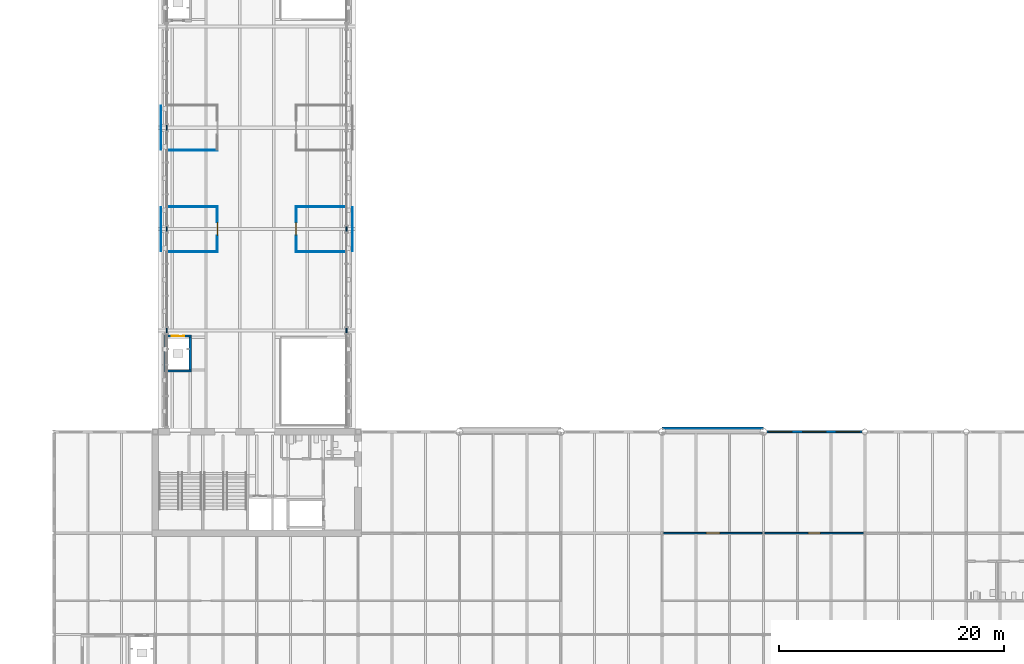
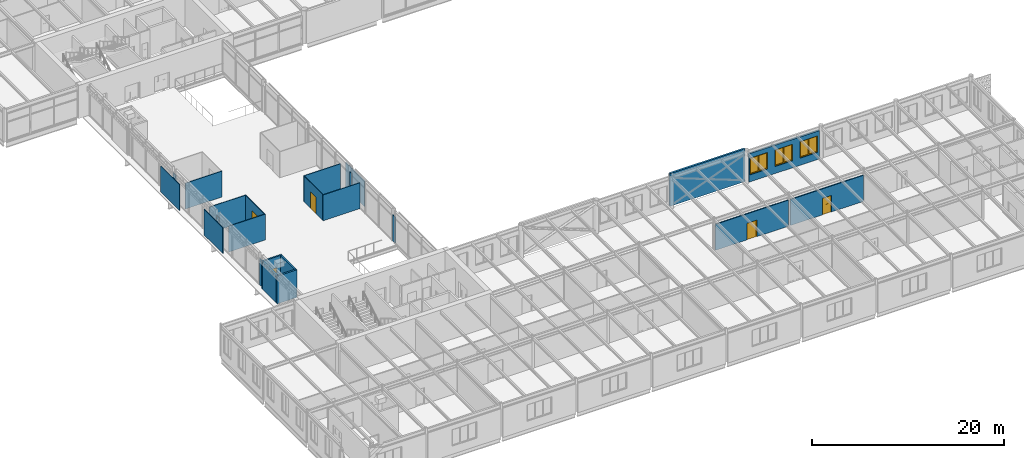
# One storey, part 65 of 123: 23 walls, 5 doors, 3 windows, 8 openings.
"""IFC4 building model written with IfcOpenShell, lengths in metres."""

import ifcopenshell
import ifcopenshell.guid

model = None  # the IFC model being written
_history = None  # IfcOwnerHistory: only IFC2X3 demands one
_inside = {}  # id of a spatial element -> (the spatial element, [elements in it])
_under = {}  # id of a project, library or spatial element -> (it, [spatial elements below it])
_declared = {}  # id of a project -> (the project, [libraries it declares])
_typed = {}  # id of a type object -> (the type object, [elements of that type])
_made_of = {}  # id of a material, layer set ... -> (it, [elements and type objects made of it])


def new_model(schema):
    """Start an empty IFC model of exactly this schema.

    Asked for "IFC4X3", IfcOpenShell would pick the latest addendum, in which some entities
    have other attributes; the version numbers below select the first issue.
    IFC2X3 requires an IfcOwnerHistory on every rooted entity: one is made here for all.
    """
    global model, _history
    if schema == "IFC4X3":
        model = ifcopenshell.file(schema_version=(4, 3, 0, 0))
    else:
        model = ifcopenshell.file(schema=schema)
    _inside.clear()
    _under.clear()
    _declared.clear()
    _typed.clear()
    _made_of.clear()
    _history = None
    if model.schema == "IFC2X3":
        org = make("IfcOrganization", Name="unknown")
        user = make(
            "IfcPersonAndOrganization",
            ThePerson=make("IfcPerson", FamilyName="unknown"),
            TheOrganization=org,
        )
        app = make(
            "IfcApplication",
            ApplicationDeveloper=org,
            Version="unknown",
            ApplicationFullName="unknown",
            ApplicationIdentifier="unknown",
        )
        _history = make(
            "IfcOwnerHistory",
            OwningUser=user,
            OwningApplication=app,
            ChangeAction="ADDED",
            CreationDate=0,
        )
    return model


def make(cls, **values):
    """One entity of the class cls with the attributes given. An attribute that is None is left unset."""
    return model.create_entity(
        cls, **{name: value for name, value in values.items() if value is not None}
    )


def rooted(cls, **values):
    """An entity with a GlobalId (a new one), such as an element, a storey or a relation."""
    return make(cls, GlobalId=ifcopenshell.guid.new(), OwnerHistory=_history, **values)


def si_unit(unit_type, name, prefix=None):
    """IfcSIUnit, for example si_unit("LENGTHUNIT", "METRE", prefix="MILLI")."""
    return make("IfcSIUnit", UnitType=unit_type, Prefix=prefix, Name=name)


def assignment(units):
    """IfcUnitAssignment: the units of a project."""
    return None if units is None else make("IfcUnitAssignment", Units=units)


def point(xyz):
    """IfcCartesianPoint."""
    return None if xyz is None else make("IfcCartesianPoint", Coordinates=xyz)


def direction(xyz):
    """IfcDirection."""
    return None if xyz is None else make("IfcDirection", DirectionRatios=xyz)


def frame(location, z_axis=None, x_axis=None):
    """IfcAxis2Placement3D, a coordinate frame: its origin and axes. An axis left out is left unset."""
    return make(
        "IfcAxis2Placement3D",
        Location=point(location),
        Axis=direction(z_axis),
        RefDirection=direction(x_axis),
    )


def frame_2d(location, x_axis=None):
    """IfcAxis2Placement2D, a coordinate frame in the plane: its origin and x axis."""
    return make(
        "IfcAxis2Placement2D", Location=point(location), RefDirection=direction(x_axis)
    )


def origin():
    """The frame at (0, 0, 0) with its axes left unset."""
    return frame((0.0, 0.0, 0.0))


def place(relative_to, where):
    """IfcLocalPlacement: puts the frame where relative to a parent placement (None: the world)."""
    return make(
        "IfcLocalPlacement", PlacementRelTo=relative_to, RelativePlacement=where
    )


def context(
    kind, dimensions, precision=None, world=None, true_north=None, identifier=None
):
    """IfcGeometricRepresentationContext, for example the 3D "Model" context."""
    return make(
        "IfcGeometricRepresentationContext",
        ContextIdentifier=identifier,
        ContextType=kind,
        CoordinateSpaceDimension=dimensions,
        Precision=precision,
        WorldCoordinateSystem=world,
        TrueNorth=true_north,
    )


def subcontext(parent, identifier, kind, view, scale=None):
    """IfcGeometricRepresentationSubContext, for example "Body" below "Model"."""
    return make(
        "IfcGeometricRepresentationSubContext",
        ContextIdentifier=identifier,
        ContextType=kind,
        ParentContext=parent,
        TargetScale=scale,
        TargetView=view,
    )


def project(units=None, contexts=None):
    """IfcProject with its units and contexts."""
    return rooted(
        "IfcProject",
        Name="project",
        RepresentationContexts=contexts,
        UnitsInContext=assignment(units),
    )


def spatial(cls, under=None, at=None, **own):
    """A site, building, storey or space (cls), placed at a placement, below another one or the project."""
    s = rooted(cls, ObjectPlacement=at, **own)
    if under is not None:
        _under.setdefault(under.id(), (under, []))[1].append(s)
    return s


def polyline(points):
    """IfcPolyline through the points."""
    return make("IfcPolyline", Points=[point(p) for p in points])


def profile(cls, at=None, kind="AREA", **sizes):
    """A parametric profile (cls). Its sizes go by their IFC names, for example OverallWidth=200.0."""
    return make(cls, ProfileType=kind, Position=at, **sizes)


def rectangle(**sizes):
    """IfcRectangleProfileDef."""
    return profile("IfcRectangleProfileDef", **sizes)


def outline(outer, holes=None, kind="AREA"):
    """IfcArbitraryClosedProfileDef: a profile drawn as a closed curve; with holes, ...WithVoids."""
    if holes is None:
        return make("IfcArbitraryClosedProfileDef", ProfileType=kind, OuterCurve=outer)
    return make(
        "IfcArbitraryProfileDefWithVoids",
        ProfileType=kind,
        OuterCurve=outer,
        InnerCurves=holes,
    )


def extrude(swept, where, along, depth):
    """IfcExtrudedAreaSolid: the profile swept, set in the frame where, extruded along a direction by depth."""
    return make(
        "IfcExtrudedAreaSolid",
        SweptArea=swept,
        Position=where,
        ExtrudedDirection=direction(along),
        Depth=depth,
    )


def shape(context_of_items, identifier, shape_type, items):
    """IfcShapeRepresentation: the items that make up one representation, for example the "Body"."""
    return make(
        "IfcShapeRepresentation",
        ContextOfItems=context_of_items,
        RepresentationIdentifier=identifier,
        RepresentationType=shape_type,
        Items=items,
    )


def material(Name=None, Category=None):
    """IfcMaterial."""
    return make("IfcMaterial", Name=Name, Category=Category)


def layer(
    of_material, thickness, ventilated=None, Name=None, Category=None, Priority=None
):
    """IfcMaterialLayer: one layer of a wall or slab, of a material (None: an air gap)."""
    return make(
        "IfcMaterialLayer",
        Material=of_material,
        LayerThickness=thickness,
        IsVentilated=ventilated,
        Name=Name,
        Category=Category,
        Priority=Priority,
    )


def layer_set(layers, Name=None):
    """IfcMaterialLayerSet."""
    return make("IfcMaterialLayerSet", MaterialLayers=layers, LayerSetName=Name)


def made_of(thing, what):
    """Note that an element or type object is made of a material, layer set ...; save() writes the relation."""
    if what is not None:
        _made_of.setdefault(what.id(), (what, []))[1].append(thing)
    return thing


def type_object(cls, material=None, **own):
    """A type object (cls), such as IfcWallType, which elements share."""
    return made_of(rooted(cls, **own), material)


def element(
    cls,
    number,
    at=None,
    inside=None,
    cuts=None,
    type_object=None,
    material=None,
    context=None,
    identifier="Body",
    shape_type=None,
    held_by="IfcProductDefinitionShape",
    body=None,
    shapes=None,
    **own,
):
    """One element of the class cls, such as IfcWall. Its Tag is "e" and its number.

    at: its placement. inside: the storey or other place that contains it. cuts: it is an
    opening in that element (IfcRelVoidsElement). A single representation is given by context,
    identifier, shape_type and body (its items); several are given by shapes. held_by: the class
    of the entity that holds the representations. save() writes the other relations.
    """
    e = rooted(cls, Tag="e%d" % number, ObjectPlacement=at, **own)
    if body is not None:
        shapes = [shape(context, identifier, shape_type, body)]
    if shapes is not None:
        e.Representation = make(held_by, Representations=shapes)
    if inside is not None:
        _inside.setdefault(inside.id(), (inside, []))[1].append(e)
    if cuts is not None:
        rooted(
            "IfcRelVoidsElement", RelatingBuildingElement=cuts, RelatedOpeningElement=e
        )
    if type_object is not None:
        _typed.setdefault(type_object.id(), (type_object, []))[1].append(e)
    return made_of(e, material)


def fill(opening, filler):
    """IfcRelFillsElement: the door or window that sits in an opening."""
    return rooted(
        "IfcRelFillsElement",
        RelatingOpeningElement=opening,
        RelatedBuildingElement=filler,
    )


def aggregate(whole, parts):
    """IfcRelAggregates: a whole, such as a stair, and the parts it consists of."""
    return rooted("IfcRelAggregates", RelatingObject=whole, RelatedObjects=parts)


def save(model, path):
    """Write the relations noted so far, then the file.

    IfcRelAggregates (storeys below a building ...), IfcRelContainedInSpatialStructure (elements
    in a storey), IfcRelDefinesByType, IfcRelAssociatesMaterial and IfcRelDeclares: one each for
    every whole, place, type object, material and project.
    """
    for whole, parts in _under.values():
        aggregate(whole, parts)
    for where, things in _inside.values():
        rooted(
            "IfcRelContainedInSpatialStructure",
            RelatedElements=things,
            RelatingStructure=where,
        )
    for kind, things in _typed.values():
        rooted("IfcRelDefinesByType", RelatedObjects=things, RelatingType=kind)
    for what, things in _made_of.values():
        rooted("IfcRelAssociatesMaterial", RelatedObjects=things, RelatingMaterial=what)
    for by, libraries in _declared.values():
        rooted("IfcRelDeclares", RelatingContext=by, RelatedDefinitions=libraries)
    model.write(path)


model = new_model("IFC4")

# Units and contexts
model_context = context("Model", 3, precision=1e-05, world=origin(), true_north=direction((0.0, 1.0)))
body_context = subcontext(model_context, "Body", "Model", "MODEL_VIEW")
ifc_project = project(units=[si_unit("LENGTHUNIT", "METRE"), si_unit("AREAUNIT", "SQUARE_METRE"), si_unit("VOLUMEUNIT", "CUBIC_METRE"), si_unit("PLANEANGLEUNIT", "RADIAN"), si_unit("MASSUNIT", "GRAM", prefix="KILO")], contexts=[model_context])

# Site, building, storey
site_placement = place(None, origin())
site = spatial("IfcSite", under=ifc_project, at=site_placement, CompositionType="ELEMENT")
building_placement = place(site_placement, origin())
building = spatial("IfcBuilding", under=site, at=building_placement, Name="Baradari Gate Terminus", CompositionType="ELEMENT")
storey_placement = place(building_placement, frame((0.0, 0.0, 7.5)))
storey = spatial("IfcBuildingStorey", under=building, at=storey_placement, Name="L01", CompositionType="ELEMENT", Elevation=7.5)

# Wall, opening, door
ifc_material_1 = material(Name="Gypsum board")
ifc_layer_1 = layer(ifc_material_1, 0.125)
ifc_layer_set_1 = layer_set([ifc_layer_1], Name="Gypsum board")
wall_type_1 = type_object("IfcWallType", Name="Corridor partition PT-5 125 EI 30", PredefinedType="PARTITIONING", material=ifc_layer_set_1)
wall_1_placement = place(storey_placement, frame((134.871826171875, 27.0, 0.0), z_axis=(0.0, 0.0, 1.0), x_axis=(-1.0, 0.0, 0.0)))
wall_1 = element("IfcWall", 1, at=wall_1_placement, inside=storey, type_object=wall_type_1, Name="PT-5 partition South Gallery / Meeting Room 3", PredefinedType="PARTITIONING", context=body_context, shape_type="SweptSolid", body=[
    extrude(rectangle(XDim=8.74365234375, YDim=0.125, at=frame_2d((4.371826171875, 0.0))), origin(), (0.0, 0.0, 1.0), 3.306884765625),
])
opening_1_placement = place(wall_1_placement, frame((3.846923828125, 0.0, 0.0)))
opening_1 = element("IfcOpeningElement", 2, at=opening_1_placement, cuts=wall_1, Name="Opening D01-075", PredefinedType="OPENING", context=body_context, shape_type="SweptSolid", body=[
    extrude(rectangle(XDim=1.050048828125, YDim=2.10009765625, at=frame_2d((0.52490234375, 1.050048828125))), frame((0.0, 0.072509765625, 0.0), z_axis=(0.0, -1.0, 0.0), x_axis=(1.0, 0.0, 0.0)), (0.0, 0.0, 1.0), 0.14501953125),
])
ifc_material_2 = material(Name="Steel S275", Category="steel")
door_type_1 = type_object("IfcDoorType", Name="Fire door FI-1050-FD30S 1050x2100 FD30S", OperationType="SINGLE_SWING_LEFT", PredefinedType="DOOR", material=ifc_material_2)
door_1_placement = place(opening_1_placement, origin())
door_1 = element("IfcDoor", 3, at=door_1_placement, inside=storey, type_object=door_type_1, Name="Door Meeting Room 3", OperationType="SINGLE_SWING_LEFT", OverallHeight=2.1, OverallWidth=1.05, PredefinedType="DOOR", context=body_context, shape_type="SweptSolid", body=[
    extrude(outline(polyline([(0.0, 0.0), (0.070068359375, 0.0), (0.070068359375, 2.030029296875), (0.97998046875, 2.030029296875), (0.97998046875, 0.0), (1.050048828125, 0.0), (1.050048828125, 2.10009765625), (0.0, 2.10009765625), (0.0, 0.0)])), frame((0.0, 0.02490234375, 0.0), z_axis=(0.0, -1.0, 0.0), x_axis=(1.0, 0.0, 0.0)), (0.0, 0.0, 1.0), 0.050048828125),
    extrude(outline(polyline([(0.073974609375, 0.010009765625), (0.97607421875, 0.010009765625), (0.97607421875, 2.026123046875), (0.073974609375, 2.026123046875), (0.073974609375, 0.010009765625)]), holes=[polyline([(0.194091796875, 0.159912109375), (0.85595703125, 0.159912109375), (0.85595703125, 1.010009765625), (0.194091796875, 1.010009765625), (0.194091796875, 0.159912109375)]), polyline([(0.375, 1.159912109375), (0.675048828125, 1.159912109375), (0.675048828125, 1.760009765625), (0.375, 1.760009765625), (0.375, 1.159912109375)])]), frame((0.0, 0.017333984375, 0.0), z_axis=(0.0, -1.0, 0.0), x_axis=(1.0, 0.0, 0.0)), (0.0, 0.0, 1.0), 0.034912109375),
    extrude(rectangle(XDim=0.661865234375, YDim=0.85009765625, at=frame_2d((0.52490234375, 0.5849609375))), frame((0.0, 0.008544921875, 0.0), z_axis=(0.0, -1.0, 0.0), x_axis=(1.0, 0.0, 0.0)), (0.0, 0.0, 1.0), 0.017333984375),
    extrude(rectangle(XDim=0.300048828125, YDim=0.60009765625, at=frame_2d((0.52490234375, 1.4599609375))), frame((0.0, 0.005859375, 0.0), z_axis=(0.0, -1.0, 0.0), x_axis=(1.0, 0.0, 0.0)), (0.0, 0.0, 1.0), 0.011962890625),
])
fill(opening_1, door_1)

wall_2_placement = place(storey_placement, frame((125.871826171875, 27.0, 0.0), z_axis=(0.0, 0.0, 1.0), x_axis=(-1.0, 0.0, 0.0)))
wall_2 = element("IfcWall", 4, at=wall_2_placement, inside=storey, type_object=wall_type_1, Name="PT-5 partition South Gallery / South Wing Office 5", PredefinedType="PARTITIONING", context=body_context, shape_type="SweptSolid", body=[
    extrude(rectangle(XDim=8.74365234375, YDim=0.125, at=frame_2d((4.371826171875, 0.0))), origin(), (0.0, 0.0, 1.0), 3.306884765625),
])
opening_2_placement = place(wall_2_placement, frame((3.771728515625, 0.0, 0.0)))
opening_2 = element("IfcOpeningElement", 5, at=opening_2_placement, cuts=wall_2, Name="Opening D01-074", PredefinedType="OPENING", context=body_context, shape_type="SweptSolid", body=[
    extrude(rectangle(XDim=1.199951171875, YDim=2.10009765625, at=frame_2d((0.60009765625, 1.050048828125))), frame((0.0, 0.072509765625, 0.0), z_axis=(0.0, -1.0, 0.0), x_axis=(1.0, 0.0, 0.0)), (0.0, 0.0, 1.0), 0.14501953125),
])
ifc_material_3 = material(Name="Steel S275", Category="steel")
door_type_2 = type_object("IfcDoorType", Name="Fire door FI-1200-FD30S 1200x2100 FD30S", OperationType="DOUBLE_DOOR_SINGLE_SWING", PredefinedType="DOOR", material=ifc_material_3)
door_2_placement = place(opening_2_placement, origin())
door_2 = element("IfcDoor", 6, at=door_2_placement, inside=storey, type_object=door_type_2, Name="Door South Wing Office 5", OperationType="DOUBLE_DOOR_SINGLE_SWING", OverallHeight=2.1, OverallWidth=1.2, PredefinedType="DOOR", context=body_context, shape_type="SweptSolid", body=[
    extrude(outline(polyline([(0.0, 0.0), (0.070068359375, 0.0), (0.070068359375, 2.030029296875), (1.1298828125, 2.030029296875), (1.1298828125, 0.0), (1.199951171875, 0.0), (1.199951171875, 2.10009765625), (0.0, 2.10009765625), (0.0, 0.0)])), frame((0.0, 0.02490234375, 0.0), z_axis=(0.0, -1.0, 0.0), x_axis=(1.0, 0.0, 0.0)), (0.0, 0.0, 1.0), 0.050048828125),
    extrude(outline(polyline([(0.073974609375, 0.010009765625), (0.596923828125, 0.010009765625), (0.596923828125, 2.026123046875), (0.073974609375, 2.026123046875), (0.073974609375, 0.010009765625)]), holes=[polyline([(0.178466796875, 0.372802734375), (0.492431640625, 0.372802734375), (0.492431640625, 1.7841796875), (0.178466796875, 1.7841796875), (0.178466796875, 0.372802734375)])]), frame((0.0, 0.017333984375, 0.0), z_axis=(0.0, -1.0, 0.0), x_axis=(1.0, 0.0, 0.0)), (0.0, 0.0, 1.0), 0.034912109375),
    extrude(rectangle(XDim=0.31396484375, YDim=1.411376953125, at=frame_2d((0.33544921875, 1.07861328125))), frame((0.0, 0.008544921875, 0.0), z_axis=(0.0, -1.0, 0.0), x_axis=(1.0, 0.0, 0.0)), (0.0, 0.0, 1.0), 0.017333984375),
    extrude(outline(polyline([(0.60302734375, 0.010009765625), (1.1259765625, 0.010009765625), (1.1259765625, 2.026123046875), (0.60302734375, 2.026123046875), (0.60302734375, 0.010009765625)]), holes=[polyline([(0.70751953125, 0.372802734375), (1.021484375, 0.372802734375), (1.021484375, 1.7841796875), (0.70751953125, 1.7841796875), (0.70751953125, 0.372802734375)])]), frame((0.0, 0.017333984375, 0.0), z_axis=(0.0, -1.0, 0.0), x_axis=(1.0, 0.0, 0.0)), (0.0, 0.0, 1.0), 0.034912109375),
    extrude(rectangle(XDim=0.31396484375, YDim=1.411376953125, at=frame_2d((0.864501953125, 1.07861328125))), frame((0.0, 0.008544921875, 0.0), z_axis=(0.0, -1.0, 0.0), x_axis=(1.0, 0.0, 0.0)), (0.0, 0.0, 1.0), 0.017333984375),
])
fill(opening_2, door_2)

ifc_material_4 = material(Name="Aluminium framed glazed partition", Category="aluminium")
ifc_layer_2 = layer(ifc_material_4, 0.074951171875)
ifc_layer_set_2 = layer_set([ifc_layer_2], Name="Aluminium framed glazed partition")
wall_type_2 = type_object("IfcWallType", Name="Kiosk partition PT-9 75 EI 60", PredefinedType="PARTITIONING", material=ifc_layer_set_2)
wall_3_placement = place(storey_placement, frame((84.5, 55.96240234375, 0.0), z_axis=(0.0, 0.0, 1.0), x_axis=(0.0, -1.0, 0.0)))
wall_3 = element("IfcWall", 7, at=wall_3_placement, inside=storey, type_object=wall_type_2, Name="PT-9 partition Concourse / Kiosk 3", PredefinedType="PARTITIONING", context=body_context, shape_type="SweptSolid", body=[
    extrude(rectangle(XDim=3.9248046875, YDim=0.074951171875, at=frame_2d((1.96240234375, 0.0))), origin(), (0.0, 0.0, 1.0), 3.287109375),
])
opening_3_placement = place(wall_3_placement, frame((1.362548828125, 0.0, 0.0)))
opening_3 = element("IfcOpeningElement", 8, at=opening_3_placement, cuts=wall_3, Name="Opening D01-110", PredefinedType="OPENING", context=body_context, shape_type="SweptSolid", body=[
    extrude(rectangle(XDim=1.199951171875, YDim=2.10009765625, at=frame_2d((0.60009765625, 1.050048828125))), frame((0.0, 0.04736328125, 0.0), z_axis=(0.0, -1.0, 0.0), x_axis=(1.0, 0.0, 0.0)), (0.0, 0.0, 1.0), 0.094970703125),
])
ifc_material_5 = material(Name="Steel S275", Category="steel")
door_type_3 = type_object("IfcDoorType", Name="Fire door FI-1200-FD60S 1200x2100 FD60S", OperationType="DOUBLE_DOOR_SINGLE_SWING", PredefinedType="DOOR", material=ifc_material_5)
door_3_placement = place(opening_3_placement, origin())
door_3 = element("IfcDoor", 9, at=door_3_placement, inside=storey, type_object=door_type_3, Name="Door Kiosk 3", OperationType="DOUBLE_DOOR_SINGLE_SWING", OverallHeight=2.1, OverallWidth=1.2, PredefinedType="DOOR", context=body_context, shape_type="SweptSolid", body=[
    extrude(outline(polyline([(0.0, 0.0), (0.070068359375, 0.0), (0.070068359375, 2.030029296875), (1.1298828125, 2.030029296875), (1.1298828125, 0.0), (1.199951171875, 0.0), (1.199951171875, 2.10009765625), (0.0, 2.10009765625), (0.0, 0.0)])), frame((0.0, 0.02490234375, 0.0), z_axis=(0.0, -1.0, 0.0), x_axis=(1.0, 0.0, 0.0)), (0.0, 0.0, 1.0), 0.050048828125),
    extrude(outline(polyline([(0.073974609375, 0.010009765625), (0.596923828125, 0.010009765625), (0.596923828125, 2.026123046875), (0.073974609375, 2.026123046875), (0.073974609375, 0.010009765625)]), holes=[polyline([(0.178466796875, 0.372802734375), (0.492431640625, 0.372802734375), (0.492431640625, 1.7841796875), (0.178466796875, 1.7841796875), (0.178466796875, 0.372802734375)])]), frame((0.0, 0.017333984375, 0.0), z_axis=(0.0, -1.0, 0.0), x_axis=(1.0, 0.0, 0.0)), (0.0, 0.0, 1.0), 0.034912109375),
    extrude(rectangle(XDim=0.31396484375, YDim=1.411376953125, at=frame_2d((0.33544921875, 1.07861328125))), frame((0.0, 0.008544921875, 0.0), z_axis=(0.0, -1.0, 0.0), x_axis=(1.0, 0.0, 0.0)), (0.0, 0.0, 1.0), 0.017333984375),
    extrude(outline(polyline([(0.60302734375, 0.010009765625), (1.1259765625, 0.010009765625), (1.1259765625, 2.026123046875), (0.60302734375, 2.026123046875), (0.60302734375, 0.010009765625)]), holes=[polyline([(0.70751953125, 0.372802734375), (1.021484375, 0.372802734375), (1.021484375, 1.7841796875), (0.70751953125, 1.7841796875), (0.70751953125, 0.372802734375)])]), frame((0.0, 0.017333984375, 0.0), z_axis=(0.0, -1.0, 0.0), x_axis=(1.0, 0.0, 0.0)), (0.0, 0.0, 1.0), 0.034912109375),
    extrude(rectangle(XDim=0.31396484375, YDim=1.411376953125, at=frame_2d((0.864501953125, 1.07861328125))), frame((0.0, 0.008544921875, 0.0), z_axis=(0.0, -1.0, 0.0), x_axis=(1.0, 0.0, 0.0)), (0.0, 0.0, 1.0), 0.017333984375),
])
fill(opening_3, door_3)

# Walls
wall_4_placement = place(storey_placement, frame((84.46240234375, 52.0, 0.0), z_axis=(0.0, 0.0, 1.0), x_axis=(1.0, 0.0, 0.0)))
element("IfcWall", 10, at=wall_4_placement, inside=storey, type_object=wall_type_2, Name="PT-9 partition Concourse / Kiosk 3", PredefinedType="PARTITIONING", context=body_context, shape_type="SweptSolid", body=[
    extrude(rectangle(XDim=4.41259765625, YDim=0.074951171875, at=frame_2d((2.206298828125, 0.0))), origin(), (0.0, 0.0, 1.0), 3.287109375),
])
wall_5_placement = place(storey_placement, frame((89.5, 52.03759765625, 0.0), z_axis=(0.0, 0.0, 1.0), x_axis=(0.0, 1.0, 0.0)))
element("IfcWall", 11, at=wall_5_placement, inside=storey, type_object=wall_type_2, Name="PT-9 partition Concourse / Kiosk 3", PredefinedType="PARTITIONING", context=body_context, shape_type="SweptSolid", body=[
    extrude(rectangle(XDim=3.9248046875, YDim=0.074951171875, at=frame_2d((1.96240234375, 0.0))), origin(), (0.0, 0.0, 1.0), 3.287109375),
])
wall_6_placement = place(storey_placement, frame((88.875, 56.0, 0.0), z_axis=(0.0, 0.0, 1.0), x_axis=(-1.0, 0.0, 0.0)))
element("IfcWall", 12, at=wall_6_placement, inside=storey, type_object=wall_type_2, Name="PT-9 partition Concourse / Kiosk 3", PredefinedType="PARTITIONING", context=body_context, shape_type="SweptSolid", body=[
    extrude(rectangle(XDim=4.41259765625, YDim=0.074951171875, at=frame_2d((2.206298828125, 0.0))), origin(), (0.0, 0.0, 1.0), 3.287109375),
])

# Wall, opening, door
wall_7_placement = place(storey_placement, frame((77.5, 52.03759765625, 0.0), z_axis=(0.0, 0.0, 1.0), x_axis=(0.0, 1.0, 0.0)))
wall_7 = element("IfcWall", 13, at=wall_7_placement, inside=storey, type_object=wall_type_2, Name="PT-9 partition Concourse / Kiosk 1", PredefinedType="PARTITIONING", context=body_context, shape_type="SweptSolid", body=[
    extrude(rectangle(XDim=3.9248046875, YDim=0.074951171875, at=frame_2d((1.96240234375, 0.0))), origin(), (0.0, 0.0, 1.0), 3.287109375),
])
opening_4_placement = place(wall_7_placement, frame((1.362548828125, 0.0, 0.0)))
opening_4 = element("IfcOpeningElement", 14, at=opening_4_placement, cuts=wall_7, Name="Opening D01-108", PredefinedType="OPENING", context=body_context, shape_type="SweptSolid", body=[
    extrude(rectangle(XDim=1.199951171875, YDim=2.10009765625, at=frame_2d((0.60009765625, 1.050048828125))), frame((0.0, 0.04736328125, 0.0), z_axis=(0.0, -1.0, 0.0), x_axis=(1.0, 0.0, 0.0)), (0.0, 0.0, 1.0), 0.094970703125),
])
door_4_placement = place(opening_4_placement, origin())
door_4 = element("IfcDoor", 15, at=door_4_placement, inside=storey, type_object=door_type_3, Name="Door Kiosk 1", OperationType="DOUBLE_DOOR_SINGLE_SWING", OverallHeight=2.1, OverallWidth=1.2, PredefinedType="DOOR", context=body_context, shape_type="SweptSolid", body=[
    extrude(outline(polyline([(0.0, 0.0), (0.070068359375, 0.0), (0.070068359375, 2.030029296875), (1.1298828125, 2.030029296875), (1.1298828125, 0.0), (1.199951171875, 0.0), (1.199951171875, 2.10009765625), (0.0, 2.10009765625), (0.0, 0.0)])), frame((0.0, 0.02490234375, 0.0), z_axis=(0.0, -1.0, 0.0), x_axis=(1.0, 0.0, 0.0)), (0.0, 0.0, 1.0), 0.050048828125),
    extrude(outline(polyline([(0.073974609375, 0.010009765625), (0.596923828125, 0.010009765625), (0.596923828125, 2.026123046875), (0.073974609375, 2.026123046875), (0.073974609375, 0.010009765625)]), holes=[polyline([(0.178466796875, 0.372802734375), (0.492431640625, 0.372802734375), (0.492431640625, 1.7841796875), (0.178466796875, 1.7841796875), (0.178466796875, 0.372802734375)])]), frame((0.0, 0.017333984375, 0.0), z_axis=(0.0, -1.0, 0.0), x_axis=(1.0, 0.0, 0.0)), (0.0, 0.0, 1.0), 0.034912109375),
    extrude(rectangle(XDim=0.31396484375, YDim=1.411376953125, at=frame_2d((0.33544921875, 1.07861328125))), frame((0.0, 0.008544921875, 0.0), z_axis=(0.0, -1.0, 0.0), x_axis=(1.0, 0.0, 0.0)), (0.0, 0.0, 1.0), 0.017333984375),
    extrude(outline(polyline([(0.60302734375, 0.010009765625), (1.1259765625, 0.010009765625), (1.1259765625, 2.026123046875), (0.60302734375, 2.026123046875), (0.60302734375, 0.010009765625)]), holes=[polyline([(0.70751953125, 0.372802734375), (1.021484375, 0.372802734375), (1.021484375, 1.7841796875), (0.70751953125, 1.7841796875), (0.70751953125, 0.372802734375)])]), frame((0.0, 0.017333984375, 0.0), z_axis=(0.0, -1.0, 0.0), x_axis=(1.0, 0.0, 0.0)), (0.0, 0.0, 1.0), 0.034912109375),
    extrude(rectangle(XDim=0.31396484375, YDim=1.411376953125, at=frame_2d((0.864501953125, 1.07861328125))), frame((0.0, 0.008544921875, 0.0), z_axis=(0.0, -1.0, 0.0), x_axis=(1.0, 0.0, 0.0)), (0.0, 0.0, 1.0), 0.017333984375),
])
fill(opening_4, door_4)

# Walls
wall_8_placement = place(storey_placement, frame((77.53759765625, 56.0, 0.0), z_axis=(0.0, 0.0, 1.0), x_axis=(-1.0, 0.0, 0.0)))
element("IfcWall", 16, at=wall_8_placement, inside=storey, type_object=wall_type_2, Name="PT-9 partition Concourse / Kiosk 1", PredefinedType="PARTITIONING", context=body_context, shape_type="SweptSolid", body=[
    extrude(rectangle(XDim=4.41259765625, YDim=0.074951171875, at=frame_2d((2.206298828125, 0.0))), origin(), (0.0, 0.0, 1.0), 3.287109375),
])
wall_9_placement = place(storey_placement, frame((72.5, 55.96240234375, 0.0), z_axis=(0.0, 0.0, 1.0), x_axis=(0.0, -1.0, 0.0)))
element("IfcWall", 17, at=wall_9_placement, inside=storey, type_object=wall_type_2, Name="PT-9 partition Concourse / Kiosk 1", PredefinedType="PARTITIONING", context=body_context, shape_type="SweptSolid", body=[
    extrude(rectangle(XDim=3.9248046875, YDim=0.074951171875, at=frame_2d((1.96240234375, 0.0))), origin(), (0.0, 0.0, 1.0), 3.287109375),
])
for number, where, z_axis, x_axis, name in (
    (18, (73.125, 52.0, 0.0), (0.0, 0.0, 1.0), (1.0, 0.0, 0.0), "PT-9 partition Concourse / Kiosk 1"),
    (19, (73.125, 61.0, 0.0), (0.0, 0.0, 1.0), (1.0, 0.0, 0.0), "PT-9 partition Concourse / Kiosk 2"),
):
    element("IfcWall", number, at=place(storey_placement, frame(where, z_axis=z_axis, x_axis=x_axis)), inside=storey, type_object=wall_type_2, Name=name, PredefinedType="PARTITIONING", context=body_context, shape_type="SweptSolid", body=[
        extrude(rectangle(XDim=4.41259765625, YDim=0.074951171875, at=frame_2d((2.206298828125, 0.0))), origin(), (0.0, 0.0, 1.0), 3.287109375),
    ])
wall_10_placement = place(storey_placement, frame((72.5, 64.96240234375, 0.0), z_axis=(0.0, 0.0, 1.0), x_axis=(0.0, -1.0, 0.0)))
element("IfcWall", 20, at=wall_10_placement, inside=storey, type_object=wall_type_2, Name="PT-9 partition Concourse / Kiosk 2", PredefinedType="PARTITIONING", context=body_context, shape_type="SweptSolid", body=[
    extrude(rectangle(XDim=3.9248046875, YDim=0.074951171875, at=frame_2d((1.96240234375, 0.0))), origin(), (0.0, 0.0, 1.0), 3.287109375),
])
ifc_material_6 = material(Name="Light ochre laterite masonry", Category="masonry")
ifc_layer_3 = layer(ifc_material_6, 0.219970703125)
ifc_layer_set_3 = layer_set([ifc_layer_3], Name="Light ochre laterite masonry")
wall_type_3 = type_object("IfcWallType", Name="Laterite masonry wall WP-2 220", PredefinedType="SOLIDWALL", material=ifc_layer_set_3)
wall_11_placement = place(storey_placement, frame((117.0, 36.31005859375, 0.0), z_axis=(0.0, 0.0, 1.0), x_axis=(1.0, 0.0, 0.0)))
element("IfcWall", 21, at=wall_11_placement, inside=storey, type_object=wall_type_3, Name="External wall platform side bay 13 L01", PredefinedType="SOLIDWALL", context=body_context, shape_type="SweptSolid", body=[
    extrude(rectangle(XDim=9.0, YDim=0.219970703125, at=frame_2d((4.5, 0.0))), origin(), (0.0, 0.0, 1.0), 4.15869140625),
])

# Wall, openings, windows
wall_12_placement = place(storey_placement, frame((126.304931640625, 36.0, 0.0), z_axis=(0.0, 0.0, 1.0), x_axis=(1.0, 0.0, 0.0)))
wall_12 = element("IfcWall", 22, at=wall_12_placement, inside=storey, type_object=wall_type_3, Name="platform side wall SN bay 15 L01", PredefinedType="SOLIDWALL", context=body_context, shape_type="SweptSolid", body=[
    extrude(rectangle(XDim=8.441162109375, YDim=0.219970703125, at=frame_2d((4.220703125, 0.0))), origin(), (0.0, 0.0, 1.0), 3.5966796875),
])
opening_5_placement = place(wall_12_placement, frame((0.14501953125, 0.0, 0.89990234375)))
opening_5 = element("IfcOpeningElement", 23, at=opening_5_placement, cuts=wall_12, Name="Opening W13", PredefinedType="OPENING", context=body_context, shape_type="SweptSolid", body=[
    extrude(rectangle(XDim=2.10009765625, YDim=2.10009765625, at=frame_2d((1.050048828125, 1.050048828125))), frame((0.0, 0.119873046875, 0.0), z_axis=(0.0, -1.0, 0.0), x_axis=(1.0, 0.0, 0.0)), (0.0, 0.0, 1.0), 0.239990234375),
])
opening_6_placement = place(wall_12_placement, frame((3.14501953125, 0.0, 0.89990234375)))
opening_6 = element("IfcOpeningElement", 24, at=opening_6_placement, cuts=wall_12, Name="Opening W13", PredefinedType="OPENING", context=body_context, shape_type="SweptSolid", body=[
    extrude(rectangle(XDim=2.10009765625, YDim=2.10009765625, at=frame_2d((1.050048828125, 1.050048828125))), frame((0.0, 0.119873046875, 0.0), z_axis=(0.0, -1.0, 0.0), x_axis=(1.0, 0.0, 0.0)), (0.0, 0.0, 1.0), 0.239990234375),
])
opening_7_placement = place(wall_12_placement, frame((6.14501953125, 0.0, 0.89990234375)))
opening_7 = element("IfcOpeningElement", 25, at=opening_7_placement, cuts=wall_12, Name="Opening W13", PredefinedType="OPENING", context=body_context, shape_type="SweptSolid", body=[
    extrude(rectangle(XDim=2.10009765625, YDim=2.10009765625, at=frame_2d((1.050048828125, 1.050048828125))), frame((0.0, 0.119873046875, 0.0), z_axis=(0.0, -1.0, 0.0), x_axis=(1.0, 0.0, 0.0)), (0.0, 0.0, 1.0), 0.239990234375),
])
ifc_material_7 = material(Name="Aluminium 6063-T6", Category="aluminium")
window_type = type_object("IfcWindowType", Name="Platform-side office window W13 2100x2100", PartitioningType="DOUBLE_PANEL_VERTICAL", PredefinedType="WINDOW", material=ifc_material_7)
window_1_placement = place(opening_5_placement, origin())
window_1 = element("IfcWindow", 26, at=window_1_placement, inside=storey, type_object=window_type, Name="Window W13 SN/14", OverallHeight=2.1, OverallWidth=2.1, PartitioningType="DOUBLE_PANEL_VERTICAL", PredefinedType="WINDOW", context=body_context, shape_type="SweptSolid", body=[
    extrude(outline(polyline([(0.0, 0.0), (2.10009765625, 0.0), (2.10009765625, 2.10009765625), (0.0, 2.10009765625), (0.0, 0.0)]), holes=[polyline([(0.070068359375, 0.070068359375), (2.030029296875, 0.070068359375), (2.030029296875, 2.030029296875), (0.070068359375, 2.030029296875), (0.070068359375, 0.070068359375)])]), frame((0.0, 0.030029296875, 0.0), z_axis=(0.0, -1.0, 0.0), x_axis=(1.0, 0.0, 0.0)), (0.0, 0.0, 1.0), 0.06005859375),
    extrude(rectangle(XDim=0.0400390625, YDim=1.9599609375, at=frame_2d((1.050048828125, 1.050048828125))), frame((0.0, 0.02197265625, 0.0), z_axis=(0.0, -1.0, 0.0), x_axis=(1.0, 0.0, 0.0)), (0.0, 0.0, 1.0), 0.0439453125),
    extrude(outline(polyline([(0.070068359375, 0.070068359375), (1.030029296875, 0.070068359375), (1.030029296875, 2.030029296875), (0.070068359375, 2.030029296875), (0.070068359375, 0.070068359375)]), holes=[polyline([(0.10009765625, 0.10009765625), (1.0, 0.10009765625), (1.0, 2.0), (0.10009765625, 2.0), (0.10009765625, 0.10009765625)])]), frame((0.0, 0.0224609375, 0.0), z_axis=(0.0, -1.0, 0.0), x_axis=(1.0, 0.0, 0.0)), (0.0, 0.0, 1.0), 0.044921875),
    extrude(rectangle(XDim=0.89990234375, YDim=1.89990234375, at=frame_2d((0.550048828125, 1.050048828125))), frame((0.0, 0.006103515625, 0.0), z_axis=(0.0, -1.0, 0.0), x_axis=(1.0, 0.0, 0.0)), (0.0, 0.0, 1.0), 0.01220703125),
    extrude(outline(polyline([(1.070068359375, 0.070068359375), (2.030029296875, 0.070068359375), (2.030029296875, 2.030029296875), (1.070068359375, 2.030029296875), (1.070068359375, 0.070068359375)]), holes=[polyline([(1.10009765625, 0.10009765625), (2.0, 0.10009765625), (2.0, 2.0), (1.10009765625, 2.0), (1.10009765625, 0.10009765625)])]), frame((0.0, 0.0224609375, 0.0), z_axis=(0.0, -1.0, 0.0), x_axis=(1.0, 0.0, 0.0)), (0.0, 0.0, 1.0), 0.044921875),
    extrude(rectangle(XDim=0.89990234375, YDim=1.89990234375, at=frame_2d((1.550048828125, 1.050048828125))), frame((0.0, 0.006103515625, 0.0), z_axis=(0.0, -1.0, 0.0), x_axis=(1.0, 0.0, 0.0)), (0.0, 0.0, 1.0), 0.01220703125),
])
fill(opening_5, window_1)
window_2_placement = place(opening_6_placement, origin())
window_2 = element("IfcWindow", 27, at=window_2_placement, inside=storey, type_object=window_type, Name="Window W13 SN/14", OverallHeight=2.1, OverallWidth=2.1, PartitioningType="DOUBLE_PANEL_VERTICAL", PredefinedType="WINDOW", context=body_context, shape_type="SweptSolid", body=[
    extrude(outline(polyline([(0.0, 0.0), (2.10009765625, 0.0), (2.10009765625, 2.10009765625), (0.0, 2.10009765625), (0.0, 0.0)]), holes=[polyline([(0.070068359375, 0.070068359375), (2.030029296875, 0.070068359375), (2.030029296875, 2.030029296875), (0.070068359375, 2.030029296875), (0.070068359375, 0.070068359375)])]), frame((0.0, 0.030029296875, 0.0), z_axis=(0.0, -1.0, 0.0), x_axis=(1.0, 0.0, 0.0)), (0.0, 0.0, 1.0), 0.06005859375),
    extrude(rectangle(XDim=0.0400390625, YDim=1.9599609375, at=frame_2d((1.050048828125, 1.050048828125))), frame((0.0, 0.02197265625, 0.0), z_axis=(0.0, -1.0, 0.0), x_axis=(1.0, 0.0, 0.0)), (0.0, 0.0, 1.0), 0.0439453125),
    extrude(outline(polyline([(0.070068359375, 0.070068359375), (1.030029296875, 0.070068359375), (1.030029296875, 2.030029296875), (0.070068359375, 2.030029296875), (0.070068359375, 0.070068359375)]), holes=[polyline([(0.10009765625, 0.10009765625), (1.0, 0.10009765625), (1.0, 2.0), (0.10009765625, 2.0), (0.10009765625, 0.10009765625)])]), frame((0.0, 0.0224609375, 0.0), z_axis=(0.0, -1.0, 0.0), x_axis=(1.0, 0.0, 0.0)), (0.0, 0.0, 1.0), 0.044921875),
    extrude(rectangle(XDim=0.89990234375, YDim=1.89990234375, at=frame_2d((0.550048828125, 1.050048828125))), frame((0.0, 0.006103515625, 0.0), z_axis=(0.0, -1.0, 0.0), x_axis=(1.0, 0.0, 0.0)), (0.0, 0.0, 1.0), 0.01220703125),
    extrude(outline(polyline([(1.070068359375, 0.070068359375), (2.030029296875, 0.070068359375), (2.030029296875, 2.030029296875), (1.070068359375, 2.030029296875), (1.070068359375, 0.070068359375)]), holes=[polyline([(1.10009765625, 0.10009765625), (2.0, 0.10009765625), (2.0, 2.0), (1.10009765625, 2.0), (1.10009765625, 0.10009765625)])]), frame((0.0, 0.0224609375, 0.0), z_axis=(0.0, -1.0, 0.0), x_axis=(1.0, 0.0, 0.0)), (0.0, 0.0, 1.0), 0.044921875),
    extrude(rectangle(XDim=0.89990234375, YDim=1.89990234375, at=frame_2d((1.550048828125, 1.050048828125))), frame((0.0, 0.006103515625, 0.0), z_axis=(0.0, -1.0, 0.0), x_axis=(1.0, 0.0, 0.0)), (0.0, 0.0, 1.0), 0.01220703125),
])
fill(opening_6, window_2)
window_3_placement = place(opening_7_placement, origin())
window_3 = element("IfcWindow", 28, at=window_3_placement, inside=storey, type_object=window_type, Name="Window W13 SN/14", OverallHeight=2.1, OverallWidth=2.1, PartitioningType="DOUBLE_PANEL_VERTICAL", PredefinedType="WINDOW", context=body_context, shape_type="SweptSolid", body=[
    extrude(outline(polyline([(0.0, 0.0), (2.10009765625, 0.0), (2.10009765625, 2.10009765625), (0.0, 2.10009765625), (0.0, 0.0)]), holes=[polyline([(0.070068359375, 0.070068359375), (2.030029296875, 0.070068359375), (2.030029296875, 2.030029296875), (0.070068359375, 2.030029296875), (0.070068359375, 0.070068359375)])]), frame((0.0, 0.030029296875, 0.0), z_axis=(0.0, -1.0, 0.0), x_axis=(1.0, 0.0, 0.0)), (0.0, 0.0, 1.0), 0.06005859375),
    extrude(rectangle(XDim=0.0400390625, YDim=1.9599609375, at=frame_2d((1.050048828125, 1.050048828125))), frame((0.0, 0.02197265625, 0.0), z_axis=(0.0, -1.0, 0.0), x_axis=(1.0, 0.0, 0.0)), (0.0, 0.0, 1.0), 0.0439453125),
    extrude(outline(polyline([(0.070068359375, 0.070068359375), (1.030029296875, 0.070068359375), (1.030029296875, 2.030029296875), (0.070068359375, 2.030029296875), (0.070068359375, 0.070068359375)]), holes=[polyline([(0.10009765625, 0.10009765625), (1.0, 0.10009765625), (1.0, 2.0), (0.10009765625, 2.0), (0.10009765625, 0.10009765625)])]), frame((0.0, 0.0224609375, 0.0), z_axis=(0.0, -1.0, 0.0), x_axis=(1.0, 0.0, 0.0)), (0.0, 0.0, 1.0), 0.044921875),
    extrude(rectangle(XDim=0.89990234375, YDim=1.89990234375, at=frame_2d((0.550048828125, 1.050048828125))), frame((0.0, 0.006103515625, 0.0), z_axis=(0.0, -1.0, 0.0), x_axis=(1.0, 0.0, 0.0)), (0.0, 0.0, 1.0), 0.01220703125),
    extrude(outline(polyline([(1.070068359375, 0.070068359375), (2.030029296875, 0.070068359375), (2.030029296875, 2.030029296875), (1.070068359375, 2.030029296875), (1.070068359375, 0.070068359375)]), holes=[polyline([(1.10009765625, 0.10009765625), (2.0, 0.10009765625), (2.0, 2.0), (1.10009765625, 2.0), (1.10009765625, 0.10009765625)])]), frame((0.0, 0.0224609375, 0.0), z_axis=(0.0, -1.0, 0.0), x_axis=(1.0, 0.0, 0.0)), (0.0, 0.0, 1.0), 0.044921875),
    extrude(rectangle(XDim=0.89990234375, YDim=1.89990234375, at=frame_2d((1.550048828125, 1.050048828125))), frame((0.0, 0.006103515625, 0.0), z_axis=(0.0, -1.0, 0.0), x_axis=(1.0, 0.0, 0.0)), (0.0, 0.0, 1.0), 0.01220703125),
])
fill(opening_7, window_3)

# Wall
ifc_material_8 = material(Name="Blockwork wall, fire rated", Category="masonry")
ifc_layer_4 = layer(ifc_material_8, 0.199951171875)
ifc_layer_set_4 = layer_set([ifc_layer_4], Name="Blockwork wall, fire rated")
wall_type_4 = type_object("IfcWallType", Name="Lift shaft wall SH-1 200 EI 120", PredefinedType="SOLIDWALL", material=ifc_layer_set_4)
wall_13_placement = place(storey_placement, frame((72.800048828125, 41.39990234375, 0.0), z_axis=(0.0, 0.0, 1.0), x_axis=(1.0, 0.0, 0.0)))
element("IfcWall", 29, at=wall_13_placement, inside=storey, type_object=wall_type_4, Name="Lift shaft wall LP1 L01 S", PredefinedType="SOLIDWALL", context=body_context, shape_type="SweptSolid", body=[
    extrude(rectangle(XDim=2.39990234375, YDim=0.199951171875, at=frame_2d((1.199951171875, 0.0))), origin(), (0.0, 0.0, 1.0), 3.51611328125),
])

# Wall, opening, door
wall_14_placement = place(storey_placement, frame((72.800048828125, 44.5, 0.0), z_axis=(0.0, 0.0, 1.0), x_axis=(1.0, 0.0, 0.0)))
wall_14 = element("IfcWall", 30, at=wall_14_placement, inside=storey, type_object=wall_type_4, Name="Lift shaft wall LP1 L01 N", PredefinedType="SOLIDWALL", context=body_context, shape_type="SweptSolid", body=[
    extrude(rectangle(XDim=2.39990234375, YDim=0.199951171875, at=frame_2d((1.199951171875, 0.0))), origin(), (0.0, 0.0, 1.0), 3.51611328125),
])
opening_8_placement = place(wall_14_placement, frame((0.64990234375, 0.0, 0.0)))
opening_8 = element("IfcOpeningElement", 31, at=opening_8_placement, cuts=wall_14, Name="Opening D01-010", PredefinedType="OPENING", context=body_context, shape_type="SweptSolid", body=[
    extrude(rectangle(XDim=1.10009765625, YDim=2.10009765625, at=frame_2d((0.550048828125, 1.050048828125))), frame((0.0, 0.10986328125, 0.0), z_axis=(0.0, -1.0, 0.0), x_axis=(1.0, 0.0, 0.0)), (0.0, 0.0, 1.0), 0.219970703125),
])
ifc_material_9 = material(Name="Stainless steel 1.4301", Category="steel")
door_type_4 = type_object("IfcDoorType", Name="Lift landing door LD 1100x2100 E 120", OperationType="SLIDING_TO_LEFT", PredefinedType="DOOR", material=ifc_material_9)
door_5_placement = place(opening_8_placement, origin())
door_5 = element("IfcDoor", 32, at=door_5_placement, inside=storey, type_object=door_type_4, Name="Lift landing door LP1 L01", OperationType="SLIDING_TO_LEFT", OverallHeight=2.1, OverallWidth=1.1, PredefinedType="DOOR", context=body_context, shape_type="SweptSolid", body=[
    extrude(outline(polyline([(0.0, 0.0), (0.070068359375, 0.0), (0.070068359375, 2.030029296875), (1.030029296875, 2.030029296875), (1.030029296875, 0.0), (1.10009765625, 0.0), (1.10009765625, 2.10009765625), (0.0, 2.10009765625), (0.0, 0.0)])), frame((0.0, 0.02490234375, 0.0), z_axis=(0.0, -1.0, 0.0), x_axis=(1.0, 0.0, 0.0)), (0.0, 0.0, 1.0), 0.050048828125),
    extrude(rectangle(XDim=0.523681640625, YDim=2.01611328125, at=frame_2d((0.3359375, 1.01806640625))), frame((0.0, 0.017822265625, 0.0), z_axis=(0.0, -1.0, 0.0), x_axis=(1.0, 0.0, 0.0)), (0.0, 0.0, 1.0), 0.015869140625),
    extrude(rectangle(XDim=0.519775390625, YDim=2.01611328125, at=frame_2d((0.76611328125, 1.01806640625))), frame((0.0, -0.002197265625, 0.0), z_axis=(0.0, -1.0, 0.0), x_axis=(1.0, 0.0, 0.0)), (0.0, 0.0, 1.0), 0.015869140625),
])
fill(opening_8, door_5)

# Walls
for number, where, z_axis, x_axis, name in (
    (33, (72.89990234375, 41.5, 0.0), (0.0, 0.0, 1.0), (0.0, 1.0, 0.0), "Lift shaft wall LP1 L01 W"),
    (34, (75.10009765625, 41.5, 0.0), (0.0, 0.0, 1.0), (0.0, 1.0, 0.0), "Lift shaft wall LP1 L01 E"),
):
    element("IfcWall", number, at=place(storey_placement, frame(where, z_axis=z_axis, x_axis=x_axis)), inside=storey, type_object=wall_type_4, Name=name, PredefinedType="SOLIDWALL", context=body_context, shape_type="SweptSolid", body=[
        extrude(rectangle(XDim=2.89990234375, YDim=0.199951171875, at=frame_2d((1.449951171875, 0.0))), origin(), (0.0, 0.0, 1.0), 3.51611328125),
    ])
ifc_material_10 = material(Name="Concrete C40/50 precast", Category="concrete")
ifc_layer_5 = layer(ifc_material_10, 0.06)
ifc_material_11 = material(Name="Reconstituted stone", Category="masonry")
ifc_layer_6 = layer(ifc_material_11, 0.04)
ifc_layer_set_5 = layer_set([ifc_layer_5, ifc_layer_6], Name="Concrete C40/50 precast")
wall_type_5 = type_object("IfcWallType", Name="Precast cover panel WP-3 100", PredefinedType="SOLIDWALL", material=ifc_layer_set_5)
for number, where, z_axis, x_axis, name in (
    (35, (73.02490234375, 44.75, 0.0), (0.0, 0.0, 1.0), (0.0, 1.0, 0.0), "Post cover panel GW L01 2"),
    (36, (73.02490234375, 53.75, 0.0), (0.0, 0.0, 1.0), (0.0, 1.0, 0.0), "Post cover panel GW L01 3"),
    (37, (73.02490234375, 62.75, 0.0), (0.0, 0.0, 1.0), (0.0, 1.0, 0.0), "Post cover panel GW L01 4"),
    (38, (88.97509765625, 44.75, 0.0), (0.0, 0.0, 1.0), (0.0, 1.0, 0.0), "Post cover panel GE L01 2"),
    (39, (88.97509765625, 53.75, 0.0), (0.0, 0.0, 1.0), (0.0, 1.0, 0.0), "Post cover panel GE L01 3"),
):
    element("IfcWall", number, at=place(storey_placement, frame(where, z_axis=z_axis, x_axis=x_axis)), inside=storey, type_object=wall_type_5, Name=name, PredefinedType="SOLIDWALL", context=body_context, shape_type="SweptSolid", body=[
        extrude(rectangle(XDim=0.5, YDim=0.10009765625, at=frame_2d((0.25, 0.0))), origin(), (0.0, 0.0, 1.0), 3.287841796875),
    ])

save(model, "model.ifc")
